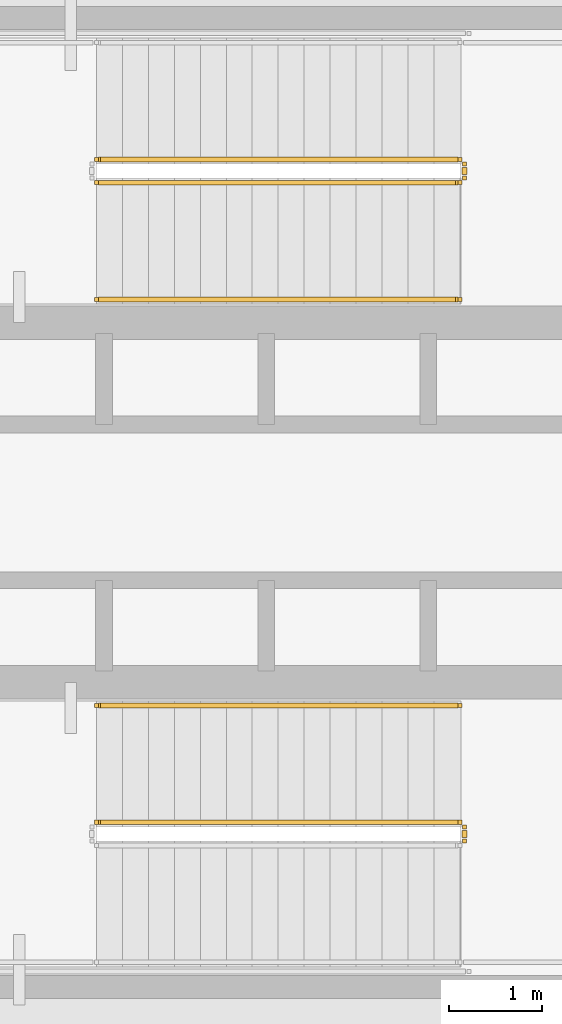
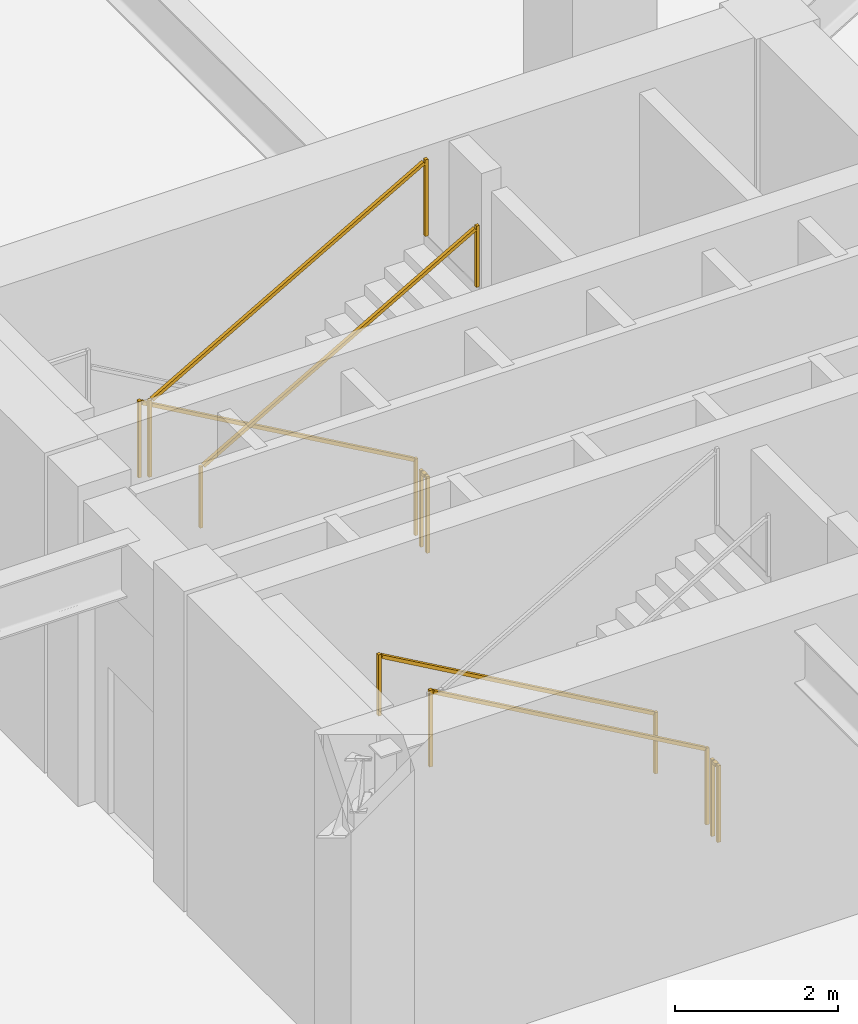
# One storey, part 10 of 13: 7 railings.
"""IFC4 building model written with IfcOpenShell, lengths in metres."""

from ifc_helpers import new_model, si_unit, direction, frame, origin, origin_2d, place, context, subcontext, project, spatial, rectangle, extrude, material, type_object, element, save


model = new_model("IFC4")

# Units and contexts
model_context = context("Model", 3, precision=1e-05, world=origin(), true_north=direction((0.0, 1.0)))
body_context = subcontext(model_context, "Body", "Model", "MODEL_VIEW")
ifc_project = project(units=[si_unit("LENGTHUNIT", "METRE"), si_unit("AREAUNIT", "SQUARE_METRE"), si_unit("VOLUMEUNIT", "CUBIC_METRE"), si_unit("PLANEANGLEUNIT", "RADIAN"), si_unit("MASSUNIT", "GRAM", prefix="KILO")], contexts=[model_context])

# Site, building, storey
site_placement = place(None, origin())
site = spatial("IfcSite", under=ifc_project, at=site_placement, CompositionType="ELEMENT")
building_placement = place(site_placement, origin())
building = spatial("IfcBuilding", under=site, at=building_placement, Name="Yunling Apex Tower", CompositionType="ELEMENT")
storey_placement = place(building_placement, frame((0.0, 0.0, -4.800048828125)))
storey = spatial("IfcBuildingStorey", under=building, at=storey_placement, Name="B01", CompositionType="ELEMENT", Elevation=-4.800048828125)

# Railings
ifc_material_1 = material(Name="Steel Q355B", Category="steel")
railing_type_1 = type_object("IfcRailingType", Name="RL-GRD-1150", PredefinedType="GUARDRAIL", material=ifc_material_1)
railing_1_placement = place(storey_placement, frame((-0.010009765625, 3.699951171875, 0.16015625)))
element("IfcRailing", 1, at=railing_1_placement, inside=storey, type_object=railing_type_1, Name="B01 ST-1 stair guard 1", PredefinedType="GUARDRAIL", context=body_context, shape_type="SweptSolid", body=[
    extrude(rectangle(XDim=0.0439453125, YDim=0.0439453125, at=origin_2d()), origin(), (0.0, 0.0, 1.0), 1.14990234375),
    extrude(rectangle(XDim=0.0439453125, YDim=0.0439453125, at=origin_2d()), frame((-3.919921875, 0.0, 2.239990234375)), (0.0, 0.0, 1.0), 1.14990234375),
    extrude(rectangle(XDim=0.050048828125, YDim=0.050048828125, at=origin_2d()), frame((-0.033203125, 0.0, 1.143798828125), z_axis=(-0.868239814368, 0.0, 0.496144761885), x_axis=(0.0, -1.0, 0.0)), (0.0, 0.0, 1.0), 4.438232421875),
])
railing_2_placement = place(storey_placement, frame((-3.929931640625, 3.449951171875, 2.56005859375)))
element("IfcRailing", 2, at=railing_2_placement, inside=storey, type_object=railing_type_1, Name="B01 ST-1 stair guard 4", PredefinedType="GUARDRAIL", context=body_context, shape_type="SweptSolid", body=[
    extrude(rectangle(XDim=0.0439453125, YDim=0.0439453125, at=origin_2d()), origin(), (0.0, 0.0, 1.0), 1.14990234375),
    extrude(rectangle(XDim=0.0439453125, YDim=0.0439453125, at=origin_2d()), frame((3.919921875, 0.0, 2.239990234375)), (0.0, 0.0, 1.0), 1.14990234375),
    extrude(rectangle(XDim=0.050048828125, YDim=0.050048828125, at=origin_2d()), frame((0.033203125, 0.0, 1.143798828125), z_axis=(0.868239814368, 0.0, 0.496144761885), x_axis=(0.0, 1.0, 0.0)), (0.0, 0.0, 1.0), 4.438232421875),
])
railing_3_placement = place(storey_placement, frame((0.0400390625, 3.64990234375, 0.0)))
element("IfcRailing", 3, at=railing_3_placement, inside=storey, type_object=railing_type_1, Name="B01 ST-1 stair guard 5", PredefinedType="GUARDRAIL", context=body_context, shape_type="SweptSolid", body=[
    extrude(rectangle(XDim=0.0439453125, YDim=0.0439453125, at=origin_2d()), origin(), (0.0, 0.0, 1.0), 1.14990234375),
    extrude(rectangle(XDim=0.0439453125, YDim=0.0439453125, at=origin_2d()), frame((0.0, -0.14990234375, 0.0)), (0.0, 0.0, 1.0), 1.14990234375),
    extrude(rectangle(XDim=0.050048828125, YDim=0.050048828125, at=origin_2d()), frame((0.0, -0.038330078125, 1.125), z_axis=(0.0, -1.0, 0.0), x_axis=(1.0, 0.0, 0.0)), (0.0, 0.0, 1.0), 0.0732421875),
])
railing_4_placement = place(storey_placement, frame((-0.010009765625, -3.449951171875, 0.16015625)))
element("IfcRailing", 4, at=railing_4_placement, inside=storey, type_object=railing_type_1, Name="B01 ST-2 stair guard 1", PredefinedType="GUARDRAIL", context=body_context, shape_type="SweptSolid", body=[
    extrude(rectangle(XDim=0.0439453125, YDim=0.0439453125, at=origin_2d()), origin(), (0.0, 0.0, 1.0), 1.14990234375),
    extrude(rectangle(XDim=0.0439453125, YDim=0.0439453125, at=origin_2d()), frame((-3.919921875, 0.0, 2.239990234375)), (0.0, 0.0, 1.0), 1.14990234375),
    extrude(rectangle(XDim=0.050048828125, YDim=0.050048828125, at=origin_2d()), frame((-0.033203125, 0.0, 1.143798828125), z_axis=(-0.868239814368, 0.0, 0.496144761885), x_axis=(0.0, -1.0, 0.0)), (0.0, 0.0, 1.0), 4.438232421875),
])
railing_5_placement = place(storey_placement, frame((0.0400390625, -3.5, 0.0)))
element("IfcRailing", 5, at=railing_5_placement, inside=storey, type_object=railing_type_1, Name="B01 ST-2 stair guard 5", PredefinedType="GUARDRAIL", context=body_context, shape_type="SweptSolid", body=[
    extrude(rectangle(XDim=0.0439453125, YDim=0.0439453125, at=origin_2d()), origin(), (0.0, 0.0, 1.0), 1.14990234375),
    extrude(rectangle(XDim=0.0439453125, YDim=0.0439453125, at=origin_2d()), frame((0.0, -0.14990234375, 0.0)), (0.0, 0.0, 1.0), 1.14990234375),
    extrude(rectangle(XDim=0.050048828125, YDim=0.050048828125, at=origin_2d()), frame((0.0, -0.038330078125, 1.125), z_axis=(0.0, -1.0, 0.0), x_axis=(1.0, 0.0, 0.0)), (0.0, 0.0, 1.0), 0.0732421875),
])
ifc_material_2 = material(Name="Silver anodised aluminium", Category="aluminium")
railing_type_2 = type_object("IfcRailingType", Name="RL-HND-900", PredefinedType="HANDRAIL", material=ifc_material_2)
railing_6_placement = place(storey_placement, frame((-3.929931640625, 2.18994140625, 2.56005859375)))
element("IfcRailing", 6, at=railing_6_placement, inside=storey, type_object=railing_type_2, Name="B01 ST-1 stair handrail 2", PredefinedType="HANDRAIL", context=body_context, shape_type="SweptSolid", body=[
    extrude(rectangle(XDim=0.0439453125, YDim=0.0439453125, at=origin_2d()), origin(), (0.0, 0.0, 1.0), 0.919921875),
    extrude(rectangle(XDim=0.0439453125, YDim=0.0439453125, at=origin_2d()), frame((3.919921875, 0.0, 2.239990234375)), (0.0, 0.0, 1.0), 0.919921875),
    extrude(rectangle(XDim=0.050048828125, YDim=0.050048828125, at=origin_2d()), frame((0.033203125, 0.0, 0.913818359375), z_axis=(0.868239814368, 0.0, 0.496144761885), x_axis=(0.0, 1.0, 0.0)), (0.0, 0.0, 1.0), 4.438232421875),
])
railing_7_placement = place(storey_placement, frame((-0.010009765625, -2.18994140625, 0.16015625)))
element("IfcRailing", 7, at=railing_7_placement, inside=storey, type_object=railing_type_2, Name="B01 ST-2 stair handrail 1", PredefinedType="HANDRAIL", context=body_context, shape_type="SweptSolid", body=[
    extrude(rectangle(XDim=0.0439453125, YDim=0.0439453125, at=origin_2d()), origin(), (0.0, 0.0, 1.0), 0.919921875),
    extrude(rectangle(XDim=0.0439453125, YDim=0.0439453125, at=origin_2d()), frame((-3.919921875, 0.0, 2.239990234375)), (0.0, 0.0, 1.0), 0.919921875),
    extrude(rectangle(XDim=0.050048828125, YDim=0.050048828125, at=origin_2d()), frame((-0.033203125, 0.0, 0.913818359375), z_axis=(-0.868239814368, 0.0, 0.496144761885), x_axis=(0.0, -1.0, 0.0)), (0.0, 0.0, 1.0), 4.438232421875),
])

save(model, "model.ifc")
